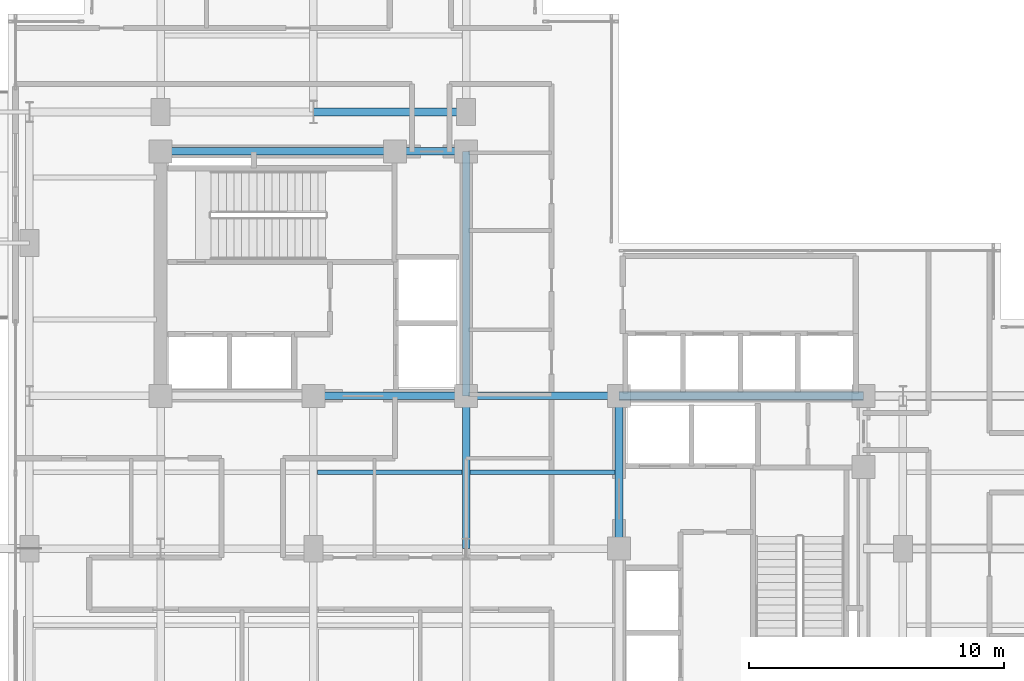
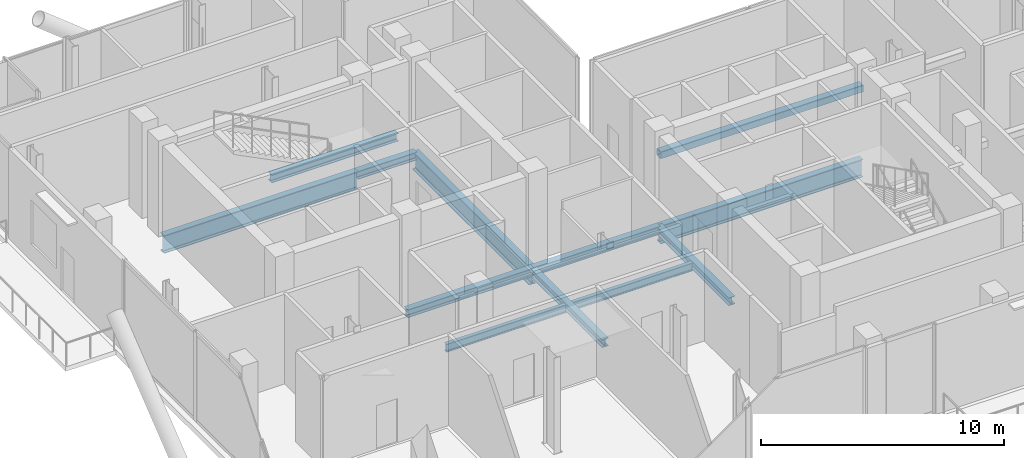
# One storey, part 6 of 22: 11 beams, 1 member.
"""IFC4 building model written with IfcOpenShell, lengths in metres."""

from ifc_helpers import new_model, si_unit, direction, frame, origin, origin_2d, place, context, subcontext, project, spatial, hollow_rectangle, i_section, extrude, material, material_profile, profile_set, type_object, element, save


model = new_model("IFC4")

# Units and contexts
model_context = context("Model", 3, precision=1e-05, world=origin(), true_north=direction((0.0, 1.0)))
body_context = subcontext(model_context, "Body", "Model", "MODEL_VIEW")
ifc_project = project(units=[si_unit("LENGTHUNIT", "METRE"), si_unit("AREAUNIT", "SQUARE_METRE"), si_unit("VOLUMEUNIT", "CUBIC_METRE"), si_unit("PLANEANGLEUNIT", "RADIAN"), si_unit("MASSUNIT", "GRAM", prefix="KILO"), si_unit("THERMODYNAMICTEMPERATUREUNIT", "KELVIN"), si_unit("POWERUNIT", "WATT")], contexts=[model_context])

# Site, building, storey
site_placement = place(None, origin())
site = spatial("IfcSite", under=ifc_project, at=site_placement, CompositionType="ELEMENT")
building_placement = place(site_placement, origin())
building = spatial("IfcBuilding", under=site, at=building_placement, Name="Svarakhadi Broadcast Tower", CompositionType="ELEMENT")
storey_placement = place(building_placement, frame((0.0, 0.0, 199.199951171875)))
storey = spatial("IfcBuildingStorey", under=building, at=storey_placement, Name="L49", CompositionType="ELEMENT", Elevation=199.199951171875)

# Beams
ifc_material_1 = material(Name="Steel S355J2 (IS 2062 E350C)", Category="steel")
ifc_material_profile_1 = material_profile(ifc_material_1, i_section(OverallWidth=0.179931640625, OverallDepth=0.39990234375, WebThickness=0.008544921875, FlangeThickness=0.013427734375, FilletRadius=0.02099609375, at=origin_2d()), Name="NPB 400x180x66")
ifc_profile_set_1 = profile_set([ifc_material_profile_1], Name="Steel S355J2 (IS 2062 E350C)")
beam_type_1 = type_object("IfcBeamType", Name="Beam_NPB400", PredefinedType="BEAM", material=ifc_profile_set_1)
for number, where, z_axis, x_axis, name in (
    (1, (12.159912109375, 15.0, -0.474853515625), (1.0, 0.0, 0.0), (0.0, 1.0, 0.0), "L49 Secondary Composite Beam SB011"),
    (2, (18.159912109375, 15.0, -0.474853515625), (1.0, 0.0, 0.0), (0.0, 1.0, 0.0), "L49 Secondary Composite Beam SB015"),
):
    element("IfcBeam", number, at=place(storey_placement, frame(where, z_axis=z_axis, x_axis=x_axis)), inside=storey, type_object=beam_type_1, Name=name, PredefinedType="BEAM", context=body_context, shape_type="SweptSolid", body=[
        extrude(i_section(OverallWidth=0.179931640625, OverallDepth=0.39990234375, WebThickness=0.008544921875, FlangeThickness=0.013427734375, FilletRadius=0.02099609375, at=origin_2d()), origin(), (0.0, 0.0, 1.0), 5.68017578125),
    ])
ifc_material_profile_2 = material_profile(ifc_material_1, i_section(OverallWidth=0.300048828125, OverallDepth=0.39990234375, WebThickness=0.013427734375, FlangeThickness=0.02392578125, FilletRadius=0.027099609375, at=origin_2d()), Name="WPB 400x300x155")
ifc_profile_set_2 = profile_set([ifc_material_profile_2], Name="Steel S355J2 (IS 2062 E350C)")
beam_type_2 = type_object("IfcBeamType", Name="Girder_WPB400", PredefinedType="USERDEFINED", material=ifc_profile_set_2)
for number, where, z_axis, x_axis, name in (
    (3, (12.0, 18.0, -0.474853515625), (1.0, 0.0, 0.0), (0.0, 1.0, 0.0), "L49 Primary E-W Girder G022"),
    (4, (18.0, 18.0, -0.474853515625), (1.0, 0.0, 0.0), (0.0, 1.0, 0.0), "L49 Primary E-W Girder G023"),
):
    element("IfcBeam", number, at=place(storey_placement, frame(where, z_axis=z_axis, x_axis=x_axis)), inside=storey, type_object=beam_type_2, Name=name, ObjectType="GIRDER", PredefinedType="USERDEFINED", context=body_context, shape_type="SweptSolid", body=[
        extrude(i_section(OverallWidth=0.300048828125, OverallDepth=0.39990234375, WebThickness=0.013427734375, FlangeThickness=0.02392578125, FilletRadius=0.027099609375, at=origin_2d()), origin(), (0.0, 0.0, 1.0), 6.0),
    ])
beam_1_placement = place(storey_placement, frame((15.199951171875, 27.60009765625, -0.474853515625), z_axis=(1.0, 0.0, 0.0), x_axis=(0.0, 1.0, 0.0)))
element("IfcBeam", 5, at=beam_1_placement, inside=storey, type_object=beam_type_2, Name="L49 Primary E-W Girder G027", ObjectType="GIRDER", PredefinedType="USERDEFINED", context=body_context, shape_type="SweptSolid", body=[
    extrude(i_section(OverallWidth=0.300048828125, OverallDepth=0.39990234375, WebThickness=0.013427734375, FlangeThickness=0.02392578125, FilletRadius=0.027099609375, at=origin_2d()), origin(), (0.0, 0.0, 1.0), 2.800048828125),
])
for number, where, z_axis, x_axis, name in (
    (6, (12.0, 29.14990234375, -0.474853515625), (1.0, 0.0, 0.0), (0.0, 1.0, 0.0), "L49 Primary E-W Girder G030"),
    (7, (18.0, 12.0, -0.474853515625), (0.0, 1.0, 0.0), (-1.0, 0.0, 0.0), "L49 Primary N-S Girder G048"),
    (8, (24.0, 12.0, -0.474853515625), (0.0, 1.0, 0.0), (-1.0, 0.0, 0.0), "L49 Primary N-S Girder G053"),
):
    element("IfcBeam", number, at=place(storey_placement, frame(where, z_axis=z_axis, x_axis=x_axis)), inside=storey, type_object=beam_type_2, Name=name, ObjectType="GIRDER", PredefinedType="USERDEFINED", context=body_context, shape_type="SweptSolid", body=[
        extrude(i_section(OverallWidth=0.300048828125, OverallDepth=0.39990234375, WebThickness=0.013427734375, FlangeThickness=0.02392578125, FilletRadius=0.027099609375, at=origin_2d()), origin(), (0.0, 0.0, 1.0), 6.0),
    ])
ifc_material_2 = material(Name="Steel S460ML (IS 2062 E450BR)", Category="steel")
ifc_material_profile_3 = material_profile(ifc_material_2, i_section(OverallWidth=0.300048828125, OverallDepth=0.89990234375, WebThickness=0.0185546875, FlangeThickness=0.034912109375, FilletRadius=0.030029296875, at=origin_2d()), Name="WPB 900x300x291")
ifc_profile_set_3 = profile_set([ifc_material_profile_3], Name="Steel S460ML (IS 2062 E450BR)")
beam_type_3 = type_object("IfcBeamType", Name="Girder_WPB900", PredefinedType="USERDEFINED", material=ifc_profile_set_3)
beam_2_placement = place(storey_placement, frame((24.0, 18.0, -0.724853515625), z_axis=(1.0, 0.0, 0.0), x_axis=(0.0, 1.0, 0.0)))
element("IfcBeam", 9, at=beam_2_placement, inside=storey, type_object=beam_type_3, Name="L49 Primary E-W Girder G024", ObjectType="GIRDER", PredefinedType="USERDEFINED", context=body_context, shape_type="SweptSolid", body=[
    extrude(i_section(OverallWidth=0.300048828125, OverallDepth=0.89990234375, WebThickness=0.0185546875, FlangeThickness=0.034912109375, FilletRadius=0.030029296875, at=origin_2d()), origin(), (0.0, 0.0, 1.0), 9.60009765625),
])
beam_3_placement = place(storey_placement, frame((6.0, 27.60009765625, -0.724853515625), z_axis=(1.0, 0.0, 0.0), x_axis=(0.0, 1.0, 0.0)))
element("IfcBeam", 10, at=beam_3_placement, inside=storey, type_object=beam_type_3, Name="L49 Primary E-W Girder G026", ObjectType="GIRDER", PredefinedType="USERDEFINED", context=body_context, shape_type="SweptSolid", body=[
    extrude(i_section(OverallWidth=0.300048828125, OverallDepth=0.89990234375, WebThickness=0.0185546875, FlangeThickness=0.034912109375, FilletRadius=0.030029296875, at=origin_2d()), origin(), (0.0, 0.0, 1.0), 9.199951171875),
])
beam_4_placement = place(storey_placement, frame((18.0, 18.0, -0.724853515625), z_axis=(0.0, 1.0, 0.0), x_axis=(-1.0, 0.0, 0.0)))
element("IfcBeam", 11, at=beam_4_placement, inside=storey, type_object=beam_type_3, Name="L49 Primary N-S Girder G049", ObjectType="GIRDER", PredefinedType="USERDEFINED", context=body_context, shape_type="SweptSolid", body=[
    extrude(i_section(OverallWidth=0.300048828125, OverallDepth=0.89990234375, WebThickness=0.0185546875, FlangeThickness=0.034912109375, FilletRadius=0.030029296875, at=origin_2d()), origin(), (0.0, 0.0, 1.0), 9.60009765625),
])

# Member
ifc_material_profile_4 = material_profile(ifc_material_2, hollow_rectangle(XDim=0.35009765625, YDim=0.35009765625, WallThickness=0.01611328125, InnerFilletRadius=0.01611328125, OuterFilletRadius=0.031982421875, at=origin_2d()), Name="SHS 350x350x16")
ifc_profile_set_4 = profile_set([ifc_material_profile_4], Name="Steel S460ML (IS 2062 E450BR)")
member_type = type_object("IfcMemberType", Name="Pool_Truss_Chord", PredefinedType="CHORD", material=ifc_profile_set_4)
member_placement = place(storey_placement, frame((24.0, 18.0, 3.275146484375), z_axis=(1.0, 0.0, 0.0), x_axis=(0.0, 1.0, 0.0)))
element("IfcMember", 12, at=member_placement, inside=storey, type_object=member_type, Name="L50 Sky Pool Cantilever Truss Chord PT-BCK1-3", PredefinedType="CHORD", context=body_context, shape_type="SweptSolid", body=[
    extrude(hollow_rectangle(XDim=0.35009765625, YDim=0.35009765625, WallThickness=0.01611328125, InnerFilletRadius=0.01611328125, OuterFilletRadius=0.031982421875, at=origin_2d()), origin(), (0.0, 0.0, 1.0), 9.60009765625),
])

save(model, "model.ifc")
